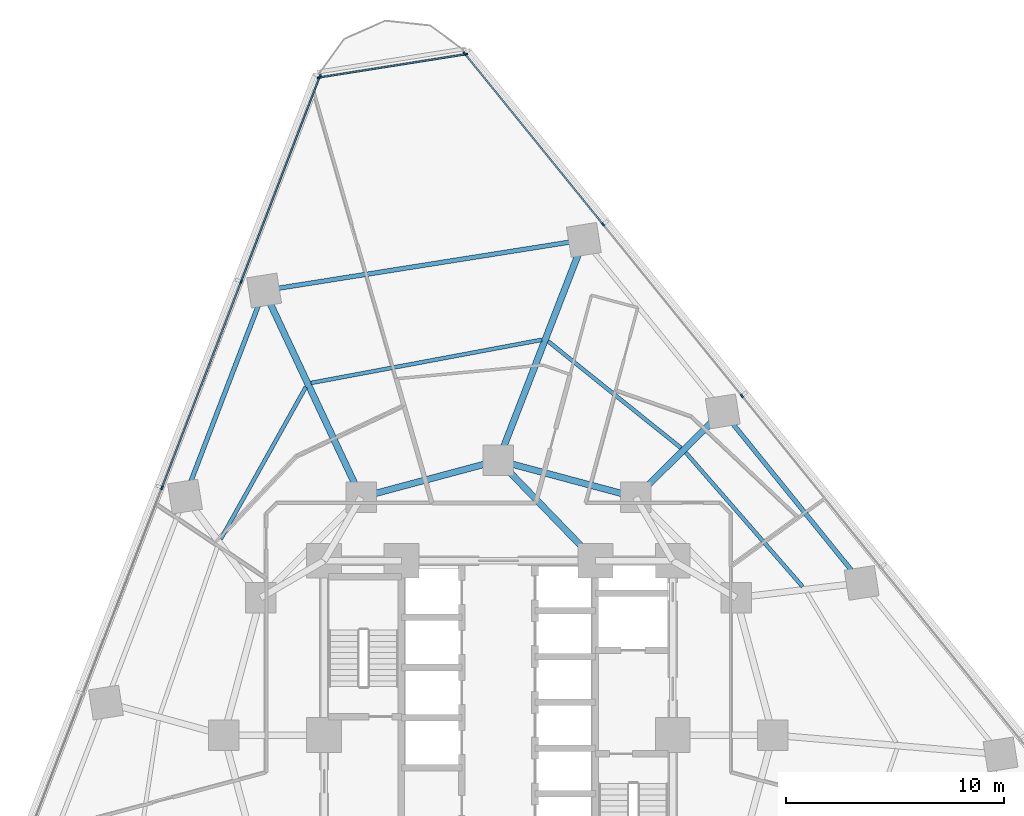
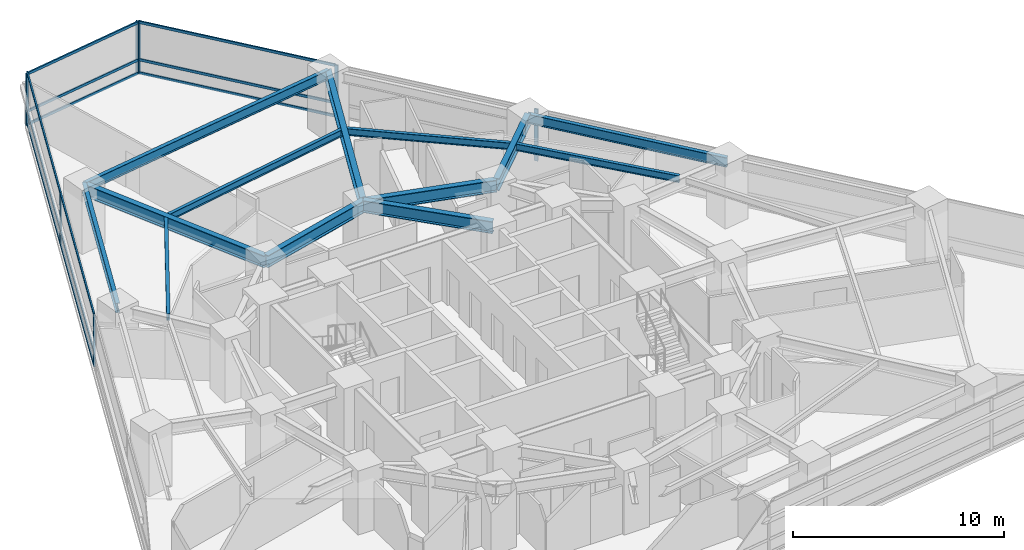
# One storey, part 5 of 13: 20 members, 13 beams, 3 elements without a shape of their own.
"""IFC4 building model written with IfcOpenShell, lengths in metres."""

from ifc_helpers import new_model, si_unit, direction, frame, origin, origin_2d, place, context, subcontext, project, spatial, rectangle, i_section, extrude, material, layer, layer_set, material_profile, profile_set, type_object, element, aggregate, save


model = new_model("IFC4")

# Units and contexts
model_context = context("Model", 3, precision=1e-05, world=origin(), true_north=direction((0.0, 1.0)))
body_context = subcontext(model_context, "Body", "Model", "MODEL_VIEW")
ifc_project = project(units=[si_unit("LENGTHUNIT", "METRE"), si_unit("AREAUNIT", "SQUARE_METRE"), si_unit("VOLUMEUNIT", "CUBIC_METRE"), si_unit("PLANEANGLEUNIT", "RADIAN"), si_unit("MASSUNIT", "GRAM", prefix="KILO")], contexts=[model_context])

# Site, building, storey
site_placement = place(None, origin())
site = spatial("IfcSite", under=ifc_project, at=site_placement, CompositionType="ELEMENT")
building_placement = place(site_placement, origin())
building = spatial("IfcBuilding", under=site, at=building_placement, Name="Terralouvre Media Tower", CompositionType="ELEMENT")
storey_placement = place(building_placement, frame((0.0, 0.0, 55.60009765625)))
storey = spatial("IfcBuildingStorey", under=building, at=storey_placement, Name="L13", CompositionType="ELEMENT", Elevation=55.60009765625)

# Beams
ifc_material_1 = material(Name="Structural steel S355J2", Category="steel")
ifc_material_profile_1 = material_profile(ifc_material_1, i_section(OverallWidth=0.179931640625, OverallDepth=0.39990234375, WebThickness=0.008544921875, FlangeThickness=0.013427734375, at=origin_2d()), Name="IPE 400")
ifc_profile_set_1 = profile_set([ifc_material_profile_1], Name="Structural steel S355J2")
beam_type_1 = type_object("IfcBeamType", Name="Composite Floor Joist J-IPE400 (IPE 400)", PredefinedType="JOIST", material=ifc_profile_set_1)
beam_1_placement = place(storey_placement, frame((13.96044921875, 6.810791015625, 3.2998046875), z_axis=(-0.656991876482, 0.753897655014, 0.0), x_axis=(-0.753897655014, -0.656991876482, 0.0)))
element("IfcBeam", 1, at=beam_1_placement, inside=storey, type_object=beam_type_1, Name="L13 Framing Beam JT-L13-07", PredefinedType="JOIST", context=body_context, shape_type="SweptSolid", body=[
    extrude(i_section(OverallWidth=0.179931640625, OverallDepth=0.39990234375, WebThickness=0.008544921875, FlangeThickness=0.013427734375, at=origin_2d()), origin(), (0.0, 0.0, 1.0), 8.165283203125),
])
beam_2_placement = place(storey_placement, frame((8.380615234375, 13.173583984375, 3.2998046875), z_axis=(-0.779905972593, 0.62589669588, 0.0), x_axis=(-0.62589669588, -0.779905972593, 0.0)))
element("IfcBeam", 2, at=beam_2_placement, inside=storey, type_object=beam_type_1, Name="L13 Framing Beam JT-L13-08", PredefinedType="JOIST", context=body_context, shape_type="SweptSolid", body=[
    extrude(i_section(OverallWidth=0.179931640625, OverallDepth=0.39990234375, WebThickness=0.008544921875, FlangeThickness=0.013427734375, at=origin_2d()), origin(), (0.0, 0.0, 1.0), 7.82470703125),
])
beam_3_placement = place(storey_placement, frame((1.985595703125, 18.13623046875, 3.2998046875), z_axis=(-0.982984181952, -0.183690223017, 0.0), x_axis=(0.183690223017, -0.982984181952, 0.0)))
element("IfcBeam", 3, at=beam_3_placement, inside=storey, type_object=beam_type_1, Name="L13 Framing Beam JT-L13-09", PredefinedType="JOIST", context=body_context, shape_type="SweptSolid", body=[
    extrude(i_section(OverallWidth=0.179931640625, OverallDepth=0.39990234375, WebThickness=0.008544921875, FlangeThickness=0.013427734375, at=origin_2d()), origin(), (0.0, 0.0, 1.0), 10.766845703125),
])
beam_4_placement = place(storey_placement, frame((-8.837646484375, 15.97119140625, 3.2998046875), z_axis=(-0.488342920388, -0.87265181608, 0.0), x_axis=(0.87265181608, -0.488342920388, 0.0)))
element("IfcBeam", 4, at=beam_4_placement, inside=storey, type_object=beam_type_1, Name="L13 Framing Beam JT-L13-10", PredefinedType="JOIST", context=body_context, shape_type="SweptSolid", body=[
    extrude(i_section(OverallWidth=0.179931640625, OverallDepth=0.39990234375, WebThickness=0.008544921875, FlangeThickness=0.013427734375, at=origin_2d()), origin(), (0.0, 0.0, 1.0), 7.992919921875),
])

# Curtain wall, members
ifc_material_2 = material(Name="Low-iron laminated double glazing with solar-control coating", Category="glass")
ifc_layer_1 = layer(ifc_material_2, 0.1650390625, Name="Lower Media Tower Unitised Curtain Wall CW-02")
ifc_layer_set_1 = layer_set([ifc_layer_1], Name="Low-iron laminated double glazing with solar-control coating")
curtain_wall_type_1 = type_object("IfcCurtainWallType", Name="Lower Media Tower Unitised Curtain Wall CW-02", PredefinedType="NOTDEFINED", material=ifc_layer_set_1)
curtain_wall_1_placement = place(storey_placement, origin())
curtain_wall_1 = element("IfcCurtainWall", 5, at=curtain_wall_1_placement, inside=storey, type_object=curtain_wall_type_1, Name="L13 Facade Curtain Wall F1", PredefinedType="NOTDEFINED")
ifc_material_3 = material(Name="Anodised extruded aluminium 6063-T6", Category="aluminium")
ifc_material_profile_2 = material_profile(ifc_material_3, rectangle(XDim=0.074951171875, YDim=0.14990234375, at=origin_2d()), Name="ALU 75x150")
ifc_profile_set_2 = profile_set([ifc_material_profile_2], Name="Anodised extruded aluminium 6063-T6")
member_type_1 = type_object("IfcMemberType", Name="Curtain-Wall Horizontal Transom TR-150", PredefinedType="USERDEFINED", material=ifc_profile_set_2)
member_1_placement = place(storey_placement, frame((4.7763671875, 23.46435546875, 0.037353515625), z_axis=(-0.629312521445, 0.777152334071, 0.0), x_axis=(-0.777152334071, -0.629312521445, 0.0)))
member_1 = element("IfcMember", 6, at=member_1_placement, type_object=member_type_1, Name="CW-02 transom 5.1", ObjectType="TRANSOM", PredefinedType="USERDEFINED", context=body_context, shape_type="SweptSolid", body=[
    extrude(rectangle(XDim=0.074951171875, YDim=0.14990234375, at=origin_2d()), origin(), (0.0, 0.0, 1.0), 10.015625),
])
member_2_placement = place(storey_placement, frame((4.7763671875, 23.46435546875, 0.7998046875), z_axis=(-0.629312521445, 0.777152334071, 0.0), x_axis=(-0.777152334071, -0.629312521445, 0.0)))
member_2 = element("IfcMember", 7, at=member_2_placement, type_object=member_type_1, Name="CW-02 transom 5.2", ObjectType="TRANSOM", PredefinedType="USERDEFINED", context=body_context, shape_type="SweptSolid", body=[
    extrude(rectangle(XDim=0.074951171875, YDim=0.14990234375, at=origin_2d()), origin(), (0.0, 0.0, 1.0), 10.015625),
])
member_3_placement = place(storey_placement, frame((4.7763671875, 23.46435546875, 2.96240234375), z_axis=(-0.629312521445, 0.777152334071, 0.0), x_axis=(-0.777152334071, -0.629312521445, 0.0)))
member_3 = element("IfcMember", 8, at=member_3_placement, type_object=member_type_1, Name="CW-02 transom 5.3", ObjectType="TRANSOM", PredefinedType="USERDEFINED", context=body_context, shape_type="SweptSolid", body=[
    extrude(rectangle(XDim=0.074951171875, YDim=0.14990234375, at=origin_2d()), origin(), (0.0, 0.0, 1.0), 10.015625),
])

curtain_wall_2_placement = place(storey_placement, origin())
curtain_wall_2 = element("IfcCurtainWall", 9, at=curtain_wall_2_placement, inside=storey, type_object=curtain_wall_type_1, Name="L13 Facade Curtain Wall F2", PredefinedType="NOTDEFINED")
member_4_placement = place(storey_placement, frame((-8.2041015625, 30.1904296875, 0.037353515625), z_axis=(-0.358376263354, -0.933577235083, 0.0), x_axis=(0.933577235083, -0.358376263354, 0.0)))
member_4 = element("IfcMember", 10, at=member_4_placement, type_object=member_type_1, Name="CW-02 transom 1.1", ObjectType="TRANSOM", PredefinedType="USERDEFINED", context=body_context, shape_type="SweptSolid", body=[
    extrude(rectangle(XDim=0.074951171875, YDim=0.14990234375, at=origin_2d()), origin(), (0.0, 0.0, 1.0), 10.015625),
])
member_5_placement = place(storey_placement, frame((-8.2041015625, 30.1904296875, 0.7998046875), z_axis=(-0.358376263354, -0.933577235083, 0.0), x_axis=(0.933577235083, -0.358376263354, 0.0)))
member_5 = element("IfcMember", 11, at=member_5_placement, type_object=member_type_1, Name="CW-02 transom 1.2", ObjectType="TRANSOM", PredefinedType="USERDEFINED", context=body_context, shape_type="SweptSolid", body=[
    extrude(rectangle(XDim=0.074951171875, YDim=0.14990234375, at=origin_2d()), origin(), (0.0, 0.0, 1.0), 10.015625),
])
member_6_placement = place(storey_placement, frame((-8.2041015625, 30.1904296875, 2.96240234375), z_axis=(-0.358376263354, -0.933577235083, 0.0), x_axis=(0.933577235083, -0.358376263354, 0.0)))
member_6 = element("IfcMember", 12, at=member_6_placement, type_object=member_type_1, Name="CW-02 transom 1.3", ObjectType="TRANSOM", PredefinedType="USERDEFINED", context=body_context, shape_type="SweptSolid", body=[
    extrude(rectangle(XDim=0.074951171875, YDim=0.14990234375, at=origin_2d()), origin(), (0.0, 0.0, 1.0), 10.015625),
])
member_7_placement = place(storey_placement, frame((-11.8203125, 20.77001953125, 0.037353515625), z_axis=(-0.358357340084, -0.933584499019, 0.0), x_axis=(0.933584499019, -0.358357340084, 0.0)))
member_7 = element("IfcMember", 13, at=member_7_placement, type_object=member_type_1, Name="CW-02 transom 2.1", ObjectType="TRANSOM", PredefinedType="USERDEFINED", context=body_context, shape_type="SweptSolid", body=[
    extrude(rectangle(XDim=0.074951171875, YDim=0.14990234375, at=origin_2d()), origin(), (0.0, 0.0, 1.0), 10.052978515625),
])
member_8_placement = place(storey_placement, frame((-11.8203125, 20.77001953125, 0.7998046875), z_axis=(-0.358357340084, -0.933584499019, 0.0), x_axis=(0.933584499019, -0.358357340084, 0.0)))
member_8 = element("IfcMember", 14, at=member_8_placement, type_object=member_type_1, Name="CW-02 transom 2.2", ObjectType="TRANSOM", PredefinedType="USERDEFINED", context=body_context, shape_type="SweptSolid", body=[
    extrude(rectangle(XDim=0.074951171875, YDim=0.14990234375, at=origin_2d()), origin(), (0.0, 0.0, 1.0), 10.052978515625),
])
member_9_placement = place(storey_placement, frame((-11.8203125, 20.77001953125, 2.96240234375), z_axis=(-0.358357340084, -0.933584499019, 0.0), x_axis=(0.933584499019, -0.358357340084, 0.0)))
member_9 = element("IfcMember", 15, at=member_9_placement, type_object=member_type_1, Name="CW-02 transom 2.3", ObjectType="TRANSOM", PredefinedType="USERDEFINED", context=body_context, shape_type="SweptSolid", body=[
    extrude(rectangle(XDim=0.074951171875, YDim=0.14990234375, at=origin_2d()), origin(), (0.0, 0.0, 1.0), 10.052978515625),
])

ifc_material_4 = material(Name="Low-iron laminated double glazing with solar-control coating", Category="glass")
ifc_layer_2 = layer(ifc_material_4, 0.1650390625, Name="Rounded Wind-Corner Curved Glazing CW-04")
ifc_layer_set_2 = layer_set([ifc_layer_2], Name="Low-iron laminated double glazing with solar-control coating")
curtain_wall_type_2 = type_object("IfcCurtainWallType", Name="Rounded Wind-Corner Curved Glazing CW-04", PredefinedType="NOTDEFINED", material=ifc_layer_set_2)
curtain_wall_3_placement = place(storey_placement, origin())
curtain_wall_3 = element("IfcCurtainWall", 16, at=curtain_wall_3_placement, inside=storey, type_object=curtain_wall_type_2, Name="L13 Rounded Wind-Corner Curtain Wall C2", PredefinedType="NOTDEFINED")
member_10_placement = place(storey_placement, frame((-1.53271484375, 31.231689453125, 0.037353515625), z_axis=(-0.987688588398, -0.156432900464, 0.0), x_axis=(0.156432900464, -0.987688588398, 0.0)))
member_10 = element("IfcMember", 17, at=member_10_placement, type_object=member_type_1, Name="CW-04 transom 1.1", ObjectType="TRANSOM", PredefinedType="USERDEFINED", context=body_context, shape_type="SweptSolid", body=[
    extrude(rectangle(XDim=0.074951171875, YDim=0.14990234375, at=origin_2d()), origin(), (0.0, 0.0, 1.0), 6.74365234375),
])
member_11_placement = place(storey_placement, frame((-1.53271484375, 31.231689453125, 0.7998046875), z_axis=(-0.987688588398, -0.156432900464, 0.0), x_axis=(0.156432900464, -0.987688588398, 0.0)))
member_11 = element("IfcMember", 18, at=member_11_placement, type_object=member_type_1, Name="CW-04 transom 1.2", ObjectType="TRANSOM", PredefinedType="USERDEFINED", context=body_context, shape_type="SweptSolid", body=[
    extrude(rectangle(XDim=0.074951171875, YDim=0.14990234375, at=origin_2d()), origin(), (0.0, 0.0, 1.0), 6.74365234375),
])
member_12_placement = place(storey_placement, frame((-1.53271484375, 31.231689453125, 2.96240234375), z_axis=(-0.987688588398, -0.156432900464, 0.0), x_axis=(0.156432900464, -0.987688588398, 0.0)))
member_12 = element("IfcMember", 19, at=member_12_placement, type_object=member_type_1, Name="CW-04 transom 1.3", ObjectType="TRANSOM", PredefinedType="USERDEFINED", context=body_context, shape_type="SweptSolid", body=[
    extrude(rectangle(XDim=0.074951171875, YDim=0.14990234375, at=origin_2d()), origin(), (0.0, 0.0, 1.0), 6.74365234375),
])

# Member
ifc_material_5 = material(Name="Anodised extruded aluminium 6063-T6", Category="aluminium")
ifc_material_profile_3 = material_profile(ifc_material_5, rectangle(XDim=0.074951171875, YDim=0.179931640625, at=origin_2d()), Name="ALU 75x180")
ifc_profile_set_3 = profile_set([ifc_material_profile_3], Name="Anodised extruded aluminium 6063-T6")
member_type_2 = type_object("IfcMemberType", Name="Curtain-Wall Vertical Mullion ML-180", PredefinedType="MULLION", material=ifc_profile_set_3)
member_13_placement = place(storey_placement, frame((11.173583984375, 15.564453125, 0.0), z_axis=(0.0, 0.0, 1.0), x_axis=(-0.777145994276, -0.629320350521, 0.0)))
member_13 = element("IfcMember", 20, at=member_13_placement, type_object=member_type_2, Name="CW-02 mullion 4", PredefinedType="MULLION", context=body_context, shape_type="SweptSolid", body=[
    extrude(rectangle(XDim=0.074951171875, YDim=0.179931640625, at=origin_2d()), origin(), (0.0, 0.0, 1.0), 3.0),
])

member_14_placement = place(storey_placement, frame((4.7998046875, 23.435302734375, 0.0), z_axis=(0.0, 0.0, 1.0), x_axis=(-0.777145994276, -0.629320350521, 0.0)))
member_14 = element("IfcMember", 21, at=member_14_placement, type_object=member_type_2, Name="CW-02 mullion 5", PredefinedType="MULLION", context=body_context, shape_type="SweptSolid", body=[
    extrude(rectangle(XDim=0.074951171875, YDim=0.179931640625, at=origin_2d()), origin(), (0.0, 0.0, 1.0), 3.0),
])

member_15_placement = place(storey_placement, frame((-1.55029296875, 31.277099609375, 0.0), z_axis=(0.0, 0.0, 1.0), x_axis=(-0.777145994276, -0.629320350521, 0.0)))
member_15 = element("IfcMember", 22, at=member_15_placement, type_object=member_type_2, Name="CW-02 mullion 6", PredefinedType="MULLION", context=body_context, shape_type="SweptSolid", body=[
    extrude(rectangle(XDim=0.074951171875, YDim=0.179931640625, at=origin_2d()), origin(), (0.0, 0.0, 1.0), 3.0),
])

aggregate(curtain_wall_1, [member_13, member_14, member_15, member_1, member_2, member_3])

member_16_placement = place(storey_placement, frame((-8.190673828125, 30.225341796875, 0.0), z_axis=(0.0, 0.0, 1.0), x_axis=(0.933580438988, -0.358367917006, 0.0)))
member_16 = element("IfcMember", 23, at=member_16_placement, type_object=member_type_2, Name="CW-02 mullion 1", PredefinedType="MULLION", context=body_context, shape_type="SweptSolid", body=[
    extrude(rectangle(XDim=0.074951171875, YDim=0.179931640625, at=origin_2d()), origin(), (0.0, 0.0, 1.0), 3.0),
])

member_17_placement = place(storey_placement, frame((-11.806884765625, 20.80517578125, 0.0), z_axis=(0.0, 0.0, 1.0), x_axis=(0.933580438988, -0.358367917006, 0.0)))
member_17 = element("IfcMember", 24, at=member_17_placement, type_object=member_type_2, Name="CW-02 mullion 2", PredefinedType="MULLION", context=body_context, shape_type="SweptSolid", body=[
    extrude(rectangle(XDim=0.074951171875, YDim=0.179931640625, at=origin_2d()), origin(), (0.0, 0.0, 1.0), 3.0),
])

member_18_placement = place(storey_placement, frame((-15.436279296875, 11.349853515625, 0.0), z_axis=(0.0, 0.0, 1.0), x_axis=(0.933580438988, -0.358367917006, 0.0)))
member_18 = element("IfcMember", 25, at=member_18_placement, type_object=member_type_2, Name="CW-02 mullion 3", PredefinedType="MULLION", context=body_context, shape_type="SweptSolid", body=[
    extrude(rectangle(XDim=0.074951171875, YDim=0.179931640625, at=origin_2d()), origin(), (0.0, 0.0, 1.0), 3.0),
])

aggregate(curtain_wall_2, [member_16, member_17, member_18, member_4, member_5, member_6, member_7, member_8, member_9])

member_19_placement = place(storey_placement, frame((-1.495849609375, 31.237548828125, 0.0), z_axis=(0.0, 0.0, 1.0), x_axis=(0.156434386502, -0.987688353034, 0.0)))
member_19 = element("IfcMember", 26, at=member_19_placement, type_object=member_type_2, Name="CW-04 mullion 1", PredefinedType="MULLION", context=body_context, shape_type="SweptSolid", body=[
    extrude(rectangle(XDim=0.074951171875, YDim=0.179931640625, at=origin_2d()), origin(), (0.0, 0.0, 1.0), 3.0),
])

member_20_placement = place(storey_placement, frame((-8.23046875, 30.1708984375, 0.0), z_axis=(0.0, 0.0, 1.0), x_axis=(0.156434386502, -0.987688353034, 0.0)))
member_20 = element("IfcMember", 27, at=member_20_placement, type_object=member_type_2, Name="CW-04 mullion 2", PredefinedType="MULLION", context=body_context, shape_type="SweptSolid", body=[
    extrude(rectangle(XDim=0.074951171875, YDim=0.179931640625, at=origin_2d()), origin(), (0.0, 0.0, 1.0), 3.0),
])

aggregate(curtain_wall_3, [member_19, member_20, member_10, member_11, member_12])

# Beams
ifc_material_6 = material(Name="Structural steel S355J2", Category="steel")
ifc_material_profile_4 = material_profile(ifc_material_6, i_section(OverallWidth=0.2099609375, OverallDepth=0.550048828125, WebThickness=0.010986328125, FlangeThickness=0.01708984375, at=origin_2d()), Name="IPE 550")
ifc_profile_set_4 = profile_set([ifc_material_profile_4], Name="Structural steel S355J2")
beam_type_2 = type_object("IfcBeamType", Name="Perimeter Spandrel Beam SPB-550 (IPE 550)", PredefinedType="SPANDREL", material=ifc_profile_set_4)
beam_5_placement = place(storey_placement, frame((16.669189453125, 6.982421875, 3.224853515625), z_axis=(-0.629325814949, 0.777141569239, 0.0), x_axis=(-0.777141569239, -0.629325814949, 0.0)))
element("IfcBeam", 28, at=beam_5_placement, inside=storey, type_object=beam_type_2, Name="L13 Framing Beam BM-L13-PR07", PredefinedType="SPANDREL", context=body_context, shape_type="SweptSolid", body=[
    extrude(i_section(OverallWidth=0.2099609375, OverallDepth=0.550048828125, WebThickness=0.010986328125, FlangeThickness=0.01708984375, at=origin_2d()), origin(), (0.0, 0.0, 1.0), 10.1279296875),
])
beam_6_placement = place(storey_placement, frame((3.921630859375, 22.72412109375, 3.224853515625), z_axis=(-0.98768930547, -0.156428372939, 0.0), x_axis=(0.156428372939, -0.98768930547, 0.0)))
element("IfcBeam", 29, at=beam_6_placement, inside=storey, type_object=beam_type_2, Name="L13 Framing Beam BM-L13-PR09", PredefinedType="SPANDREL", context=body_context, shape_type="SweptSolid", body=[
    extrude(i_section(OverallWidth=0.2099609375, OverallDepth=0.550048828125, WebThickness=0.010986328125, FlangeThickness=0.01708984375, at=origin_2d()), origin(), (0.0, 0.0, 1.0), 14.8564453125),
])
beam_7_placement = place(storey_placement, frame((-10.751953125, 20.400146484375, 3.224853515625), z_axis=(-0.358353868481, -0.933585831589, 0.0), x_axis=(0.933585831589, -0.358353868481, 0.0)))
element("IfcBeam", 30, at=beam_7_placement, inside=storey, type_object=beam_type_2, Name="L13 Framing Beam BM-L13-PR10", PredefinedType="SPANDREL", context=body_context, shape_type="SweptSolid", body=[
    extrude(i_section(OverallWidth=0.2099609375, OverallDepth=0.550048828125, WebThickness=0.010986328125, FlangeThickness=0.01708984375, at=origin_2d()), origin(), (0.0, 0.0, 1.0), 10.1279296875),
])
ifc_material_7 = material(Name="Structural steel S460M", Category="steel")
ifc_material_profile_5 = material_profile(ifc_material_7, i_section(OverallWidth=0.300048828125, OverallDepth=0.699951171875, WebThickness=0.01708984375, FlangeThickness=0.031982421875, at=origin_2d()), Name="HEB 700")
ifc_profile_set_5 = profile_set([ifc_material_profile_5], Name="Structural steel S460M")
beam_type_3 = type_object("IfcBeamType", Name="Primary Floor Girder B-HEB700 (HEB 700)", PredefinedType="BEAM", material=ifc_profile_set_5)
for number, where, z_axis, x_axis, name in (
    (31, (6.300048828125, 10.911865234375, 3.14990234375), (-0.965920481897, 0.258838989821, 0.0), (-0.258838989821, -0.965920481897, 0.0), "L13 Framing Beam BM-L13-MR08"),
    (32, (0.0, 12.60009765625, 3.14990234375), (-0.965920481897, -0.258838989821, 0.0), (0.258838989821, -0.965920481897, 0.0), "L13 Framing Beam BM-L13-MR09"),
):
    element("IfcBeam", number, at=place(storey_placement, frame(where, z_axis=z_axis, x_axis=x_axis)), inside=storey, type_object=beam_type_3, Name=name, PredefinedType="BEAM", context=body_context, shape_type="SweptSolid", body=[
        extrude(i_section(OverallWidth=0.300048828125, OverallDepth=0.699951171875, WebThickness=0.01708984375, FlangeThickness=0.031982421875, at=origin_2d()), origin(), (0.0, 0.0, 1.0), 6.522216796875),
    ])
beam_8_placement = place(storey_placement, frame((4.449951171875, 8.0, 3.14990234375), z_axis=(-0.695279715726, 0.718739255155, 0.0), x_axis=(-0.718739255155, -0.695279715726, 0.0)))
element("IfcBeam", 33, at=beam_8_placement, inside=storey, type_object=beam_type_3, Name="L13 Framing Beam BM-L13-CM09", PredefinedType="BEAM", context=body_context, shape_type="SweptSolid", body=[
    extrude(i_section(OverallWidth=0.300048828125, OverallDepth=0.699951171875, WebThickness=0.01708984375, FlangeThickness=0.031982421875, at=origin_2d()), origin(), (0.0, 0.0, 1.0), 6.400146484375),
])
beam_9_placement = place(storey_placement, frame((6.300048828125, 10.911865234375, 3.14990234375), z_axis=(0.711897326367, 0.702283558623, 0.0), x_axis=(-0.702283558623, 0.711897326367, 0.0)))
element("IfcBeam", 34, at=beam_9_placement, inside=storey, type_object=beam_type_3, Name="L13 Framing Beam BM-L13-RD08", PredefinedType="BEAM", context=body_context, shape_type="SweptSolid", body=[
    extrude(i_section(OverallWidth=0.300048828125, OverallDepth=0.699951171875, WebThickness=0.01708984375, FlangeThickness=0.031982421875, at=origin_2d()), origin(), (0.0, 0.0, 1.0), 5.6123046875),
])
beam_10_placement = place(storey_placement, frame((0.0, 12.60009765625, 3.14990234375), z_axis=(0.361206690819, 0.93248577818, 0.0), x_axis=(-0.93248577818, 0.361206690819, 0.0)))
element("IfcBeam", 35, at=beam_10_placement, inside=storey, type_object=beam_type_3, Name="L13 Framing Beam BM-L13-RD09", PredefinedType="BEAM", context=body_context, shape_type="SweptSolid", body=[
    extrude(i_section(OverallWidth=0.300048828125, OverallDepth=0.699951171875, WebThickness=0.01708984375, FlangeThickness=0.031982421875, at=origin_2d()), origin(), (0.0, 0.0, 1.0), 10.85693359375),
])
beam_11_placement = place(storey_placement, frame((-6.300048828125, 10.911865234375, 3.14990234375), z_axis=(-0.42476805902, 0.905302212544, 0.0), x_axis=(-0.905302212544, -0.42476805902, 0.0)))
element("IfcBeam", 36, at=beam_11_placement, inside=storey, type_object=beam_type_3, Name="L13 Framing Beam BM-L13-RD10", PredefinedType="BEAM", context=body_context, shape_type="SweptSolid", body=[
    extrude(i_section(OverallWidth=0.300048828125, OverallDepth=0.699951171875, WebThickness=0.01708984375, FlangeThickness=0.031982421875, at=origin_2d()), origin(), (0.0, 0.0, 1.0), 10.480712890625),
])

save(model, "model.ifc")
